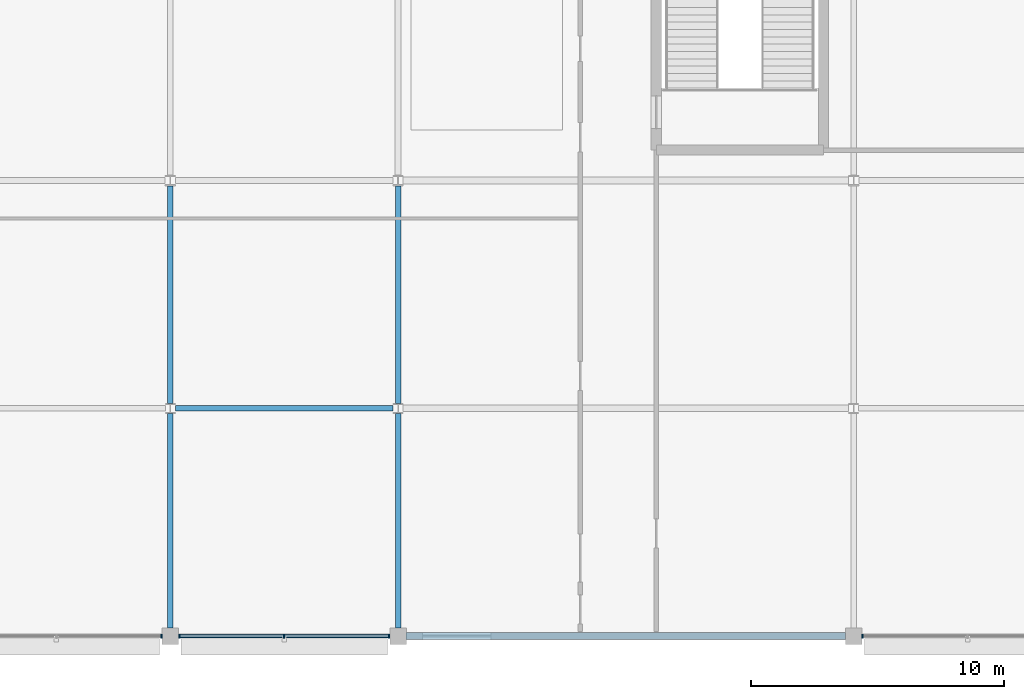
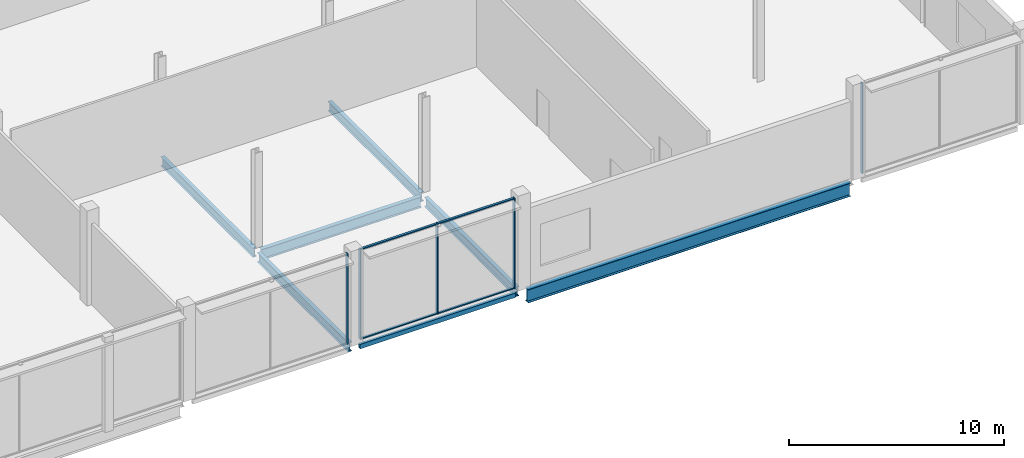
# One storey, part 43 of 111: 9 members, 7 beams, 3 elements without a shape of their own.
"""IFC4 building model written with IfcOpenShell, lengths in metres."""

import ifcopenshell
import ifcopenshell.guid

model = None  # the IFC model being written
_history = None  # IfcOwnerHistory: only IFC2X3 demands one
_inside = {}  # id of a spatial element -> (the spatial element, [elements in it])
_under = {}  # id of a project, library or spatial element -> (it, [spatial elements below it])
_declared = {}  # id of a project -> (the project, [libraries it declares])
_typed = {}  # id of a type object -> (the type object, [elements of that type])
_made_of = {}  # id of a material, layer set ... -> (it, [elements and type objects made of it])


def new_model(schema):
    """Start an empty IFC model of exactly this schema.

    Asked for "IFC4X3", IfcOpenShell would pick the latest addendum, in which some entities
    have other attributes; the version numbers below select the first issue.
    IFC2X3 requires an IfcOwnerHistory on every rooted entity: one is made here for all.
    """
    global model, _history
    if schema == "IFC4X3":
        model = ifcopenshell.file(schema_version=(4, 3, 0, 0))
    else:
        model = ifcopenshell.file(schema=schema)
    _inside.clear()
    _under.clear()
    _declared.clear()
    _typed.clear()
    _made_of.clear()
    _history = None
    if model.schema == "IFC2X3":
        org = make("IfcOrganization", Name="unknown")
        user = make(
            "IfcPersonAndOrganization",
            ThePerson=make("IfcPerson", FamilyName="unknown"),
            TheOrganization=org,
        )
        app = make(
            "IfcApplication",
            ApplicationDeveloper=org,
            Version="unknown",
            ApplicationFullName="unknown",
            ApplicationIdentifier="unknown",
        )
        _history = make(
            "IfcOwnerHistory",
            OwningUser=user,
            OwningApplication=app,
            ChangeAction="ADDED",
            CreationDate=0,
        )
    return model


def make(cls, **values):
    """One entity of the class cls with the attributes given. An attribute that is None is left unset."""
    return model.create_entity(
        cls, **{name: value for name, value in values.items() if value is not None}
    )


def rooted(cls, **values):
    """An entity with a GlobalId (a new one), such as an element, a storey or a relation."""
    return make(cls, GlobalId=ifcopenshell.guid.new(), OwnerHistory=_history, **values)


def si_unit(unit_type, name, prefix=None):
    """IfcSIUnit, for example si_unit("LENGTHUNIT", "METRE", prefix="MILLI")."""
    return make("IfcSIUnit", UnitType=unit_type, Prefix=prefix, Name=name)


def assignment(units):
    """IfcUnitAssignment: the units of a project."""
    return None if units is None else make("IfcUnitAssignment", Units=units)


def point(xyz):
    """IfcCartesianPoint."""
    return None if xyz is None else make("IfcCartesianPoint", Coordinates=xyz)


def direction(xyz):
    """IfcDirection."""
    return None if xyz is None else make("IfcDirection", DirectionRatios=xyz)


def frame(location, z_axis=None, x_axis=None):
    """IfcAxis2Placement3D, a coordinate frame: its origin and axes. An axis left out is left unset."""
    return make(
        "IfcAxis2Placement3D",
        Location=point(location),
        Axis=direction(z_axis),
        RefDirection=direction(x_axis),
    )


def frame_2d(location, x_axis=None):
    """IfcAxis2Placement2D, a coordinate frame in the plane: its origin and x axis."""
    return make(
        "IfcAxis2Placement2D", Location=point(location), RefDirection=direction(x_axis)
    )


def origin():
    """The frame at (0, 0, 0) with its axes left unset."""
    return frame((0.0, 0.0, 0.0))


def origin_2d():
    """The frame at (0, 0) in the plane with its x axis left unset."""
    return frame_2d((0.0, 0.0))


def place(relative_to, where):
    """IfcLocalPlacement: puts the frame where relative to a parent placement (None: the world)."""
    return make(
        "IfcLocalPlacement", PlacementRelTo=relative_to, RelativePlacement=where
    )


def context(
    kind, dimensions, precision=None, world=None, true_north=None, identifier=None
):
    """IfcGeometricRepresentationContext, for example the 3D "Model" context."""
    return make(
        "IfcGeometricRepresentationContext",
        ContextIdentifier=identifier,
        ContextType=kind,
        CoordinateSpaceDimension=dimensions,
        Precision=precision,
        WorldCoordinateSystem=world,
        TrueNorth=true_north,
    )


def subcontext(parent, identifier, kind, view, scale=None):
    """IfcGeometricRepresentationSubContext, for example "Body" below "Model"."""
    return make(
        "IfcGeometricRepresentationSubContext",
        ContextIdentifier=identifier,
        ContextType=kind,
        ParentContext=parent,
        TargetScale=scale,
        TargetView=view,
    )


def project(units=None, contexts=None):
    """IfcProject with its units and contexts."""
    return rooted(
        "IfcProject",
        Name="project",
        RepresentationContexts=contexts,
        UnitsInContext=assignment(units),
    )


def spatial(cls, under=None, at=None, **own):
    """A site, building, storey or space (cls), placed at a placement, below another one or the project."""
    s = rooted(cls, ObjectPlacement=at, **own)
    if under is not None:
        _under.setdefault(under.id(), (under, []))[1].append(s)
    return s


def profile(cls, at=None, kind="AREA", **sizes):
    """A parametric profile (cls). Its sizes go by their IFC names, for example OverallWidth=200.0."""
    return make(cls, ProfileType=kind, Position=at, **sizes)


def rectangle(**sizes):
    """IfcRectangleProfileDef."""
    return profile("IfcRectangleProfileDef", **sizes)


def hollow_rectangle(**sizes):
    """IfcRectangleHollowProfileDef."""
    return profile("IfcRectangleHollowProfileDef", **sizes)


def i_section(**sizes):
    """IfcIShapeProfileDef."""
    return profile("IfcIShapeProfileDef", **sizes)


def extrude(swept, where, along, depth):
    """IfcExtrudedAreaSolid: the profile swept, set in the frame where, extruded along a direction by depth."""
    return make(
        "IfcExtrudedAreaSolid",
        SweptArea=swept,
        Position=where,
        ExtrudedDirection=direction(along),
        Depth=depth,
    )


def shape(context_of_items, identifier, shape_type, items):
    """IfcShapeRepresentation: the items that make up one representation, for example the "Body"."""
    return make(
        "IfcShapeRepresentation",
        ContextOfItems=context_of_items,
        RepresentationIdentifier=identifier,
        RepresentationType=shape_type,
        Items=items,
    )


def material(Name=None, Category=None):
    """IfcMaterial."""
    return make("IfcMaterial", Name=Name, Category=Category)


def layer(
    of_material, thickness, ventilated=None, Name=None, Category=None, Priority=None
):
    """IfcMaterialLayer: one layer of a wall or slab, of a material (None: an air gap)."""
    return make(
        "IfcMaterialLayer",
        Material=of_material,
        LayerThickness=thickness,
        IsVentilated=ventilated,
        Name=Name,
        Category=Category,
        Priority=Priority,
    )


def layer_set(layers, Name=None):
    """IfcMaterialLayerSet."""
    return make("IfcMaterialLayerSet", MaterialLayers=layers, LayerSetName=Name)


def material_profile(
    of_material, cross_section, Name=None, Category=None, Priority=None
):
    """IfcMaterialProfile: a cross section and its material."""
    return make(
        "IfcMaterialProfile",
        Name=Name,
        Material=of_material,
        Profile=cross_section,
        Priority=Priority,
        Category=Category,
    )


def profile_set(profiles, Name=None, composite=None):
    """IfcMaterialProfileSet."""
    return make(
        "IfcMaterialProfileSet",
        Name=Name,
        MaterialProfiles=profiles,
        CompositeProfile=composite,
    )


def made_of(thing, what):
    """Note that an element or type object is made of a material, layer set ...; save() writes the relation."""
    if what is not None:
        _made_of.setdefault(what.id(), (what, []))[1].append(thing)
    return thing


def type_object(cls, material=None, **own):
    """A type object (cls), such as IfcWallType, which elements share."""
    return made_of(rooted(cls, **own), material)


def element(
    cls,
    number,
    at=None,
    inside=None,
    cuts=None,
    type_object=None,
    material=None,
    context=None,
    identifier="Body",
    shape_type=None,
    held_by="IfcProductDefinitionShape",
    body=None,
    shapes=None,
    **own,
):
    """One element of the class cls, such as IfcWall. Its Tag is "e" and its number.

    at: its placement. inside: the storey or other place that contains it. cuts: it is an
    opening in that element (IfcRelVoidsElement). A single representation is given by context,
    identifier, shape_type and body (its items); several are given by shapes. held_by: the class
    of the entity that holds the representations. save() writes the other relations.
    """
    e = rooted(cls, Tag="e%d" % number, ObjectPlacement=at, **own)
    if body is not None:
        shapes = [shape(context, identifier, shape_type, body)]
    if shapes is not None:
        e.Representation = make(held_by, Representations=shapes)
    if inside is not None:
        _inside.setdefault(inside.id(), (inside, []))[1].append(e)
    if cuts is not None:
        rooted(
            "IfcRelVoidsElement", RelatingBuildingElement=cuts, RelatedOpeningElement=e
        )
    if type_object is not None:
        _typed.setdefault(type_object.id(), (type_object, []))[1].append(e)
    return made_of(e, material)


def aggregate(whole, parts):
    """IfcRelAggregates: a whole, such as a stair, and the parts it consists of."""
    return rooted("IfcRelAggregates", RelatingObject=whole, RelatedObjects=parts)


def save(model, path):
    """Write the relations noted so far, then the file.

    IfcRelAggregates (storeys below a building ...), IfcRelContainedInSpatialStructure (elements
    in a storey), IfcRelDefinesByType, IfcRelAssociatesMaterial and IfcRelDeclares: one each for
    every whole, place, type object, material and project.
    """
    for whole, parts in _under.values():
        aggregate(whole, parts)
    for where, things in _inside.values():
        rooted(
            "IfcRelContainedInSpatialStructure",
            RelatedElements=things,
            RelatingStructure=where,
        )
    for kind, things in _typed.values():
        rooted("IfcRelDefinesByType", RelatedObjects=things, RelatingType=kind)
    for what, things in _made_of.values():
        rooted("IfcRelAssociatesMaterial", RelatedObjects=things, RelatingMaterial=what)
    for by, libraries in _declared.values():
        rooted("IfcRelDeclares", RelatingContext=by, RelatedDefinitions=libraries)
    model.write(path)


model = new_model("IFC4")

# Units and contexts
model_context = context("Model", 3, precision=1e-05, world=origin(), true_north=direction((0.0, 1.0)))
body_context = subcontext(model_context, "Body", "Model", "MODEL_VIEW")
ifc_project = project(units=[si_unit("LENGTHUNIT", "METRE"), si_unit("AREAUNIT", "SQUARE_METRE"), si_unit("VOLUMEUNIT", "CUBIC_METRE"), si_unit("PLANEANGLEUNIT", "RADIAN"), si_unit("MASSUNIT", "GRAM", prefix="KILO")], contexts=[model_context])

# Site, building, storey
site_placement = place(None, origin())
site = spatial("IfcSite", under=ifc_project, at=site_placement, CompositionType="ELEMENT")
building_placement = place(site_placement, origin())
building = spatial("IfcBuilding", under=site, at=building_placement, Name="Kisiwana Market Hall", CompositionType="ELEMENT")
storey_placement = place(building_placement, frame((0.0, 0.0, 11.39990234375)))
storey = spatial("IfcBuildingStorey", under=building, at=storey_placement, Name="L02", CompositionType="ELEMENT", Elevation=11.39990234375)

# Beams
ifc_material_1 = material(Name="Steel S355", Category="steel")
ifc_material_profile_1 = material_profile(ifc_material_1, i_section(OverallWidth=0.209228515625, OverallDepth=0.533203125, WebThickness=0.010009765625, FlangeThickness=0.015625, at=origin_2d()), Name="UB 533x210x92")
ifc_profile_set_1 = profile_set([ifc_material_profile_1], Name="Steel S355")
beam_type_1 = type_object("IfcBeamType", Name="BM-GIRD-UB533", PredefinedType="BEAM", material=ifc_profile_set_1)
beam_1_placement = place(storey_placement, frame((162.0, 0.321044921875, -0.516357421875), z_axis=(0.0, 1.0, 0.0), x_axis=(-1.0, 0.0, 0.0)))
element("IfcBeam", 1, at=beam_1_placement, inside=storey, type_object=beam_type_1, Name="Primary girder B-0669", PredefinedType="BEAM", context=body_context, shape_type="SweptSolid", body=[
    extrude(i_section(OverallWidth=0.209228515625, OverallDepth=0.533203125, WebThickness=0.010009765625, FlangeThickness=0.015625, at=origin_2d()), origin(), (0.0, 0.0, 1.0), 8.479736328125),
])
beam_2_placement = place(storey_placement, frame((162.0, 9.19921875, -0.516357421875), z_axis=(0.0, 1.0, 0.0), x_axis=(-1.0, 0.0, 0.0)))
element("IfcBeam", 2, at=beam_2_placement, inside=storey, type_object=beam_type_1, Name="Primary girder B-0670", PredefinedType="BEAM", context=body_context, shape_type="SweptSolid", body=[
    extrude(i_section(OverallWidth=0.209228515625, OverallDepth=0.533203125, WebThickness=0.010009765625, FlangeThickness=0.015625, at=origin_2d()), origin(), (0.0, 0.0, 1.0), 8.58740234375),
])
beam_3_placement = place(storey_placement, frame((171.0, 0.321044921875, -0.516357421875), z_axis=(0.0, 1.0, 0.0), x_axis=(-1.0, 0.0, 0.0)))
element("IfcBeam", 3, at=beam_3_placement, inside=storey, type_object=beam_type_1, Name="Primary girder B-0677", PredefinedType="BEAM", context=body_context, shape_type="SweptSolid", body=[
    extrude(i_section(OverallWidth=0.209228515625, OverallDepth=0.533203125, WebThickness=0.010009765625, FlangeThickness=0.015625, at=origin_2d()), origin(), (0.0, 0.0, 1.0), 8.479736328125),
])
beam_4_placement = place(storey_placement, frame((171.0, 9.19921875, -0.516357421875), z_axis=(0.0, 1.0, 0.0), x_axis=(-1.0, 0.0, 0.0)))
element("IfcBeam", 4, at=beam_4_placement, inside=storey, type_object=beam_type_1, Name="Primary girder B-0678", PredefinedType="BEAM", context=body_context, shape_type="SweptSolid", body=[
    extrude(i_section(OverallWidth=0.209228515625, OverallDepth=0.533203125, WebThickness=0.010009765625, FlangeThickness=0.015625, at=origin_2d()), origin(), (0.0, 0.0, 1.0), 8.58740234375),
])
ifc_material_2 = material(Name="Steel S355", Category="steel")
ifc_material_profile_2 = material_profile(ifc_material_2, i_section(OverallWidth=0.22900390625, OverallDepth=0.6123046875, WebThickness=0.011962890625, FlangeThickness=0.01953125, at=origin_2d()), Name="UB 610x229x125")
ifc_profile_set_2 = profile_set([ifc_material_profile_2], Name="Steel S355")
beam_type_2 = type_object("IfcBeamType", Name="BM-GIRD-UB610H", PredefinedType="BEAM", material=ifc_profile_set_2)
beam_5_placement = place(storey_placement, frame((162.197509765625, 9.0, -0.555908203125), z_axis=(1.0, 0.0, 0.0), x_axis=(0.0, 1.0, 0.0)))
element("IfcBeam", 5, at=beam_5_placement, inside=storey, type_object=beam_type_2, Name="Floor beam B-0738", PredefinedType="BEAM", context=body_context, shape_type="SweptSolid", body=[
    extrude(i_section(OverallWidth=0.22900390625, OverallDepth=0.6123046875, WebThickness=0.011962890625, FlangeThickness=0.01953125, at=origin_2d()), origin(), (0.0, 0.0, 1.0), 8.60498046875),
])
ifc_material_3 = material(Name="Steel S355", Category="steel")
ifc_material_profile_3 = material_profile(ifc_material_3, i_section(OverallWidth=0.2666015625, OverallDepth=0.76220703125, WebThickness=0.014404296875, FlangeThickness=0.021484375, at=origin_2d()), Name="UB 762x267x173")
ifc_profile_set_3 = profile_set([ifc_material_profile_3], Name="Steel S355")
beam_type_3 = type_object("IfcBeamType", Name="BM-GIRD-UB762", PredefinedType="BEAM", material=ifc_profile_set_3)
beam_6_placement = place(storey_placement, frame((171.321044921875, 0.0, -0.631103515625), z_axis=(1.0, 0.0, 0.0), x_axis=(0.0, 1.0, 0.0)))
element("IfcBeam", 6, at=beam_6_placement, inside=storey, type_object=beam_type_3, Name="Floor beam B-0731", PredefinedType="BEAM", context=body_context, shape_type="SweptSolid", body=[
    extrude(i_section(OverallWidth=0.2666015625, OverallDepth=0.76220703125, WebThickness=0.014404296875, FlangeThickness=0.021484375, at=origin_2d()), origin(), (0.0, 0.0, 1.0), 17.35791015625),
])
ifc_material_4 = material(Name="Steel S355", Category="steel")
ifc_material_profile_4 = material_profile(ifc_material_4, hollow_rectangle(XDim=0.14990234375, YDim=0.25, WallThickness=0.010009765625, at=origin_2d()), Name="RHS 250x150x10.0")
ifc_profile_set_4 = profile_set([ifc_material_profile_4], Name="Steel S355")
beam_type_4 = type_object("IfcBeamType", Name="BM-SPAN-RHS250", PredefinedType="SPANDREL", material=ifc_profile_set_4)
beam_7_placement = place(storey_placement, frame((162.321044921875, 0.0, -0.375), z_axis=(1.0, 0.0, 0.0), x_axis=(0.0, 1.0, 0.0)))
element("IfcBeam", 7, at=beam_7_placement, inside=storey, type_object=beam_type_4, Name="Floor beam B-0730", PredefinedType="SPANDREL", context=body_context, shape_type="SweptSolid", body=[
    extrude(hollow_rectangle(XDim=0.14990234375, YDim=0.25, WallThickness=0.010009765625, at=origin_2d()), origin(), (0.0, 0.0, 1.0), 8.35791015625),
])

# Curtain wall, member
ifc_material_5 = material(Name="Double-glazed solar-control low-E IGU", Category="glass")
ifc_layer = layer(ifc_material_5, 0.159912109375)
ifc_layer_set = layer_set([ifc_layer], Name="CW-GLD-W-6400")
curtain_wall_type = type_object("IfcCurtainWallType", Name="CW-GLD-W-6400", PredefinedType="USERDEFINED", material=ifc_layer_set)
curtain_wall_1_placement = place(storey_placement, origin())
curtain_wall_1 = element("IfcCurtainWall", 8, at=curtain_wall_1_placement, inside=storey, type_object=curtain_wall_type, Name="Unitised curtain wall CW-060 (L02)", ObjectType="UNITISED CURTAIN WALL", PredefinedType="USERDEFINED")
ifc_material_6 = material(Name="Aluminium alloy 6063-T6", Category="aluminium")
ifc_material_profile_5 = material_profile(ifc_material_6, rectangle(XDim=0.06005859375, YDim=0.159912109375, at=origin_2d()), Name="ALU MULLION 60x160")
ifc_profile_set_5 = profile_set([ifc_material_profile_5], Name="Aluminium alloy 6063-T6")
member_type_1 = type_object("IfcMemberType", Name="CW-MULL-60x160", PredefinedType="MULLION", material=ifc_profile_set_5)
member_1_placement = place(storey_placement, frame((161.64501953125, 0.0, 0.0), z_axis=(0.0, 0.0, 1.0), x_axis=(1.0, 0.0, 0.0)))
member_1 = element("IfcMember", 9, at=member_1_placement, type_object=member_type_1, Name="CW-060 mullion 3", PredefinedType="MULLION", context=body_context, shape_type="SweptSolid", body=[
    extrude(rectangle(XDim=0.06005859375, YDim=0.159912109375, at=origin_2d()), origin(), (0.0, 0.0, 1.0), 5.150146484375),
])
aggregate(curtain_wall_1, [member_1])

# Curtain wall, members
curtain_wall_2_placement = place(storey_placement, origin())
curtain_wall_2 = element("IfcCurtainWall", 10, at=curtain_wall_2_placement, inside=storey, type_object=curtain_wall_type, Name="Unitised curtain wall CW-061 (L02)", ObjectType="UNITISED CURTAIN WALL", PredefinedType="USERDEFINED")
member_2_placement = place(storey_placement, frame((162.35498046875, 0.0, 0.0), z_axis=(0.0, 0.0, 1.0), x_axis=(1.0, 0.0, 0.0)))
member_2 = element("IfcMember", 11, at=member_2_placement, type_object=member_type_1, Name="CW-061 mullion 1", PredefinedType="MULLION", context=body_context, shape_type="SweptSolid", body=[
    extrude(rectangle(XDim=0.06005859375, YDim=0.159912109375, at=origin_2d()), origin(), (0.0, 0.0, 1.0), 5.150146484375),
])
member_3_placement = place(storey_placement, frame((166.5, 0.0, 0.0), z_axis=(0.0, 0.0, 1.0), x_axis=(1.0, 0.0, 0.0)))
member_3 = element("IfcMember", 12, at=member_3_placement, type_object=member_type_1, Name="CW-061 mullion 2", PredefinedType="MULLION", context=body_context, shape_type="SweptSolid", body=[
    extrude(rectangle(XDim=0.06005859375, YDim=0.159912109375, at=origin_2d()), origin(), (0.0, 0.0, 1.0), 5.150146484375),
])
member_4_placement = place(storey_placement, frame((170.64501953125, 0.0, 0.0), z_axis=(0.0, 0.0, 1.0), x_axis=(1.0, 0.0, 0.0)))
member_4 = element("IfcMember", 13, at=member_4_placement, type_object=member_type_1, Name="CW-061 mullion 3", PredefinedType="MULLION", context=body_context, shape_type="SweptSolid", body=[
    extrude(rectangle(XDim=0.06005859375, YDim=0.159912109375, at=origin_2d()), origin(), (0.0, 0.0, 1.0), 5.150146484375),
])

# Curtain wall, member
curtain_wall_3_placement = place(storey_placement, origin())
curtain_wall_3 = element("IfcCurtainWall", 14, at=curtain_wall_3_placement, inside=storey, type_object=curtain_wall_type, Name="Unitised curtain wall CW-062 (L02)", ObjectType="UNITISED CURTAIN WALL", PredefinedType="USERDEFINED")
member_5_placement = place(storey_placement, frame((189.35498046875, 0.0, 0.0), z_axis=(0.0, 0.0, 1.0), x_axis=(1.0, 0.0, 0.0)))
member_5 = element("IfcMember", 15, at=member_5_placement, type_object=member_type_1, Name="CW-062 mullion 1", PredefinedType="MULLION", context=body_context, shape_type="SweptSolid", body=[
    extrude(rectangle(XDim=0.06005859375, YDim=0.159912109375, at=origin_2d()), origin(), (0.0, 0.0, 1.0), 5.150146484375),
])
aggregate(curtain_wall_3, [member_5])

# Member
ifc_material_7 = material(Name="Aluminium alloy 6063-T6", Category="aluminium")
ifc_material_profile_6 = material_profile(ifc_material_7, rectangle(XDim=0.1201171875, YDim=0.06005859375, at=origin_2d()), Name="ALU TRANSOM 60x120")
ifc_profile_set_6 = profile_set([ifc_material_profile_6], Name="Aluminium alloy 6063-T6")
member_type_2 = type_object("IfcMemberType", Name="CW-TRAN-60x120", PredefinedType="USERDEFINED", material=ifc_profile_set_6)
member_6_placement = place(storey_placement, frame((162.385009765625, 0.0, 0.030029296875), z_axis=(1.0, 0.0, 0.0), x_axis=(0.0, 1.0, 0.0)))
member_6 = element("IfcMember", 16, at=member_6_placement, type_object=member_type_2, Name="CW-061 transom 1.1", ObjectType="TRANSOM", PredefinedType="USERDEFINED", context=body_context, shape_type="SweptSolid", body=[
    extrude(rectangle(XDim=0.1201171875, YDim=0.06005859375, at=origin_2d()), origin(), (0.0, 0.0, 1.0), 4.0849609375),
])

member_7_placement = place(storey_placement, frame((162.385009765625, 0.0, 5.1201171875), z_axis=(1.0, 0.0, 0.0), x_axis=(0.0, 1.0, 0.0)))
member_7 = element("IfcMember", 17, at=member_7_placement, type_object=member_type_2, Name="CW-061 transom 1.2", ObjectType="TRANSOM", PredefinedType="USERDEFINED", context=body_context, shape_type="SweptSolid", body=[
    extrude(rectangle(XDim=0.1201171875, YDim=0.06005859375, at=origin_2d()), origin(), (0.0, 0.0, 1.0), 4.0849609375),
])

member_8_placement = place(storey_placement, frame((166.530029296875, 0.0, 0.030029296875), z_axis=(1.0, 0.0, 0.0), x_axis=(0.0, 1.0, 0.0)))
member_8 = element("IfcMember", 18, at=member_8_placement, type_object=member_type_2, Name="CW-061 transom 2.1", ObjectType="TRANSOM", PredefinedType="USERDEFINED", context=body_context, shape_type="SweptSolid", body=[
    extrude(rectangle(XDim=0.1201171875, YDim=0.06005859375, at=origin_2d()), origin(), (0.0, 0.0, 1.0), 4.0849609375),
])

member_9_placement = place(storey_placement, frame((166.530029296875, 0.0, 5.1201171875), z_axis=(1.0, 0.0, 0.0), x_axis=(0.0, 1.0, 0.0)))
member_9 = element("IfcMember", 19, at=member_9_placement, type_object=member_type_2, Name="CW-061 transom 2.2", ObjectType="TRANSOM", PredefinedType="USERDEFINED", context=body_context, shape_type="SweptSolid", body=[
    extrude(rectangle(XDim=0.1201171875, YDim=0.06005859375, at=origin_2d()), origin(), (0.0, 0.0, 1.0), 4.0849609375),
])

aggregate(curtain_wall_2, [member_2, member_3, member_4, member_6, member_7, member_8, member_9])

save(model, "model.ifc")
